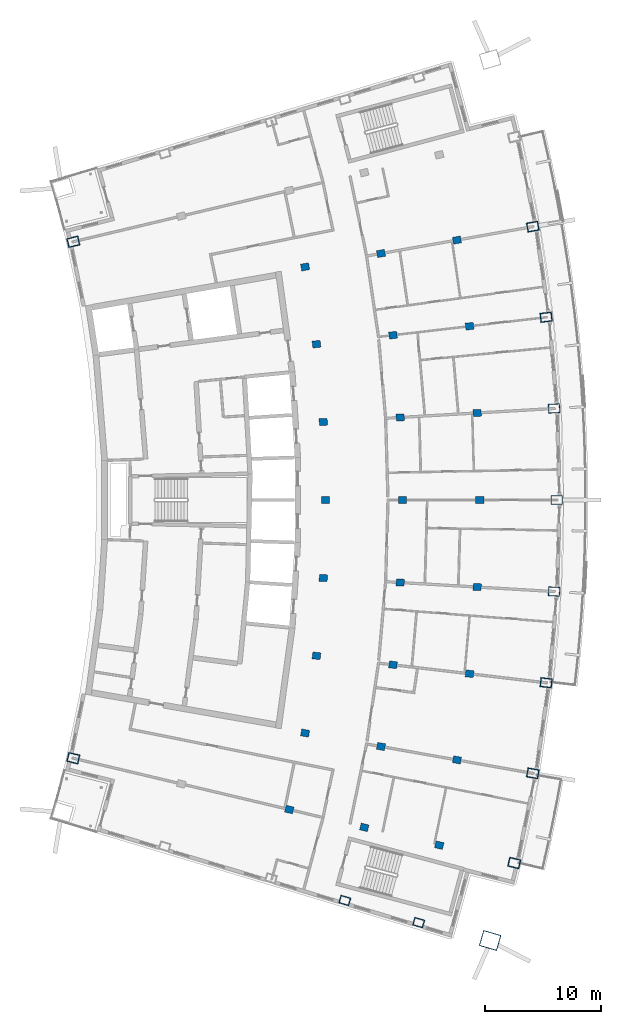
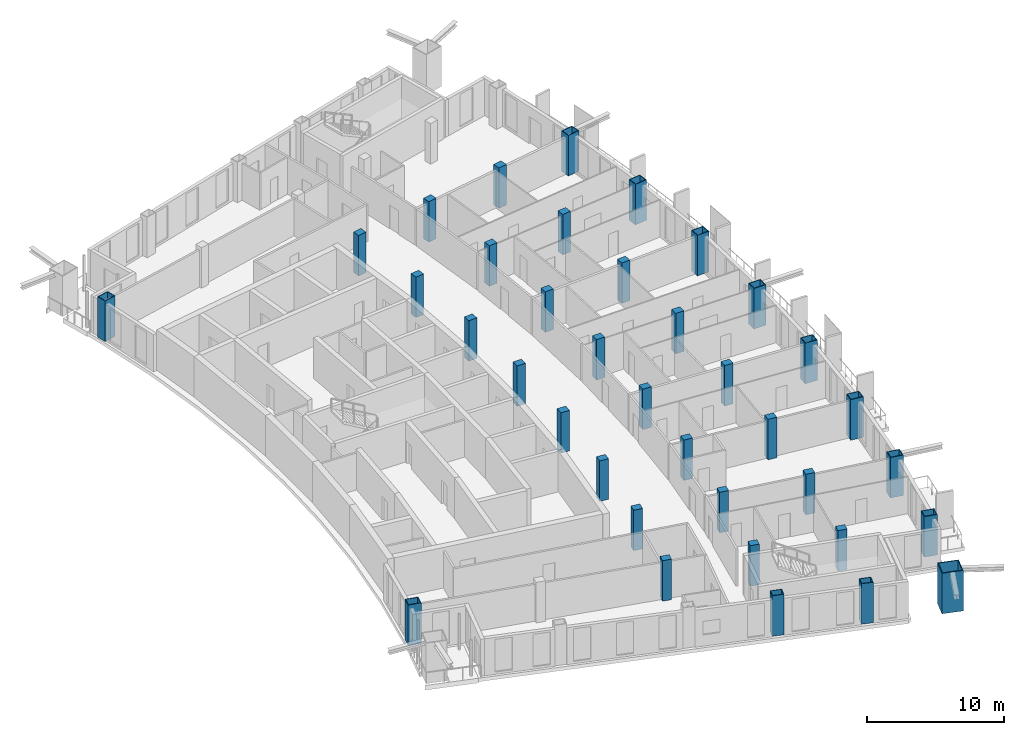
# One storey, part 2 of 15: 37 columns.
"""IFC4 building model written with IfcOpenShell, lengths in metres."""

from ifc_helpers import new_model, si_unit, direction, frame, origin, origin_2d, place, context, subcontext, project, spatial, rectangle, hollow_rectangle, extrude, material, material_profile, profile_set, type_object, element, save


model = new_model("IFC4")

# Units and contexts
model_context = context("Model", 3, precision=1e-05, world=origin(), true_north=direction((0.0, 1.0)))
body_context = subcontext(model_context, "Body", "Model", "MODEL_VIEW")
ifc_project = project(units=[si_unit("LENGTHUNIT", "METRE"), si_unit("AREAUNIT", "SQUARE_METRE"), si_unit("VOLUMEUNIT", "CUBIC_METRE"), si_unit("PLANEANGLEUNIT", "RADIAN"), si_unit("MASSUNIT", "GRAM", prefix="KILO")], contexts=[model_context])

# Site, building, storey
site_placement = place(None, origin())
site = spatial("IfcSite", under=ifc_project, at=site_placement, CompositionType="ELEMENT")
building_placement = place(site_placement, origin())
building = spatial("IfcBuilding", under=site, at=building_placement, Name="Alderwake Tower", CompositionType="ELEMENT")
storey_placement = place(building_placement, frame((0.0, 0.0, 285.199951171875)))
storey = spatial("IfcBuildingStorey", under=building, at=storey_placement, Name="L71", CompositionType="ELEMENT", Elevation=285.199951171875)

# Columns
ifc_material_1 = material(Name="Steel ASTM A572 Grade 50 concrete filled C70/85", Category="concrete")
ifc_material_profile_1 = material_profile(ifc_material_1, hollow_rectangle(XDim=0.699951171875, YDim=0.89990234375, WallThickness=0.050048828125, at=origin_2d()), Name="BOX 900X700X50")
ifc_profile_set_1 = profile_set([ifc_material_profile_1], Name="Steel ASTM A572 Grade 50 concrete filled C70/85")
column_type_1 = type_object("IfcColumnType", Name="End column Z5", PredefinedType="COLUMN", material=ifc_profile_set_1)
for number, where, z_axis, x_axis, name in (
    (1, (37.465576171875, 26.35986328125, 0.0), (0.0, 0.0, 1.0), (0.282853758087, 0.95916304742, 0.0), "Column R02-C3"),
    (2, (43.8505859375, 24.44287109375, 0.0), (0.0, 0.0, 1.0), (0.283096487049, 0.95909143413, 0.0), "Column R02-C4"),
):
    element("IfcColumn", number, at=place(storey_placement, frame(where, z_axis=z_axis, x_axis=x_axis)), inside=storey, type_object=column_type_1, Name=name, PredefinedType="COLUMN", context=body_context, shape_type="SweptSolid", body=[
        extrude(hollow_rectangle(XDim=0.699951171875, YDim=0.89990234375, WallThickness=0.050048828125, at=origin_2d()), origin(), (0.0, 0.0, 1.0), 3.60009765625),
    ])
ifc_material_2 = material(Name="Concrete C70/85", Category="concrete")
ifc_material_profile_2 = material_profile(ifc_material_2, rectangle(XDim=0.60009765625, YDim=0.699951171875, at=origin_2d()), Name="RC 700X600")
ifc_profile_set_2 = profile_set([ifc_material_profile_2], Name="Concrete C70/85")
column_type_2 = type_object("IfcColumnType", Name="Interior column Z5", PredefinedType="COLUMN", material=ifc_profile_set_2)
for number, where, z_axis, x_axis, name in (
    (3, (32.661865234375, 34.224609375, 0.0), (0.0, 0.0, 1.0), (0.231221547198, 0.972901123502, 0.0), "Column R03-C2"),
    (4, (39.14794921875, 32.68310546875, 0.0), (0.0, 0.0, 1.0), (0.231221547198, 0.972901123502, 0.0), "Column R03-C3"),
    (5, (45.6337890625, 31.1416015625, 0.0), (0.0, 0.0, 1.0), (0.231221547198, 0.972901123502, 0.0), "Column R03-C4"),
    (6, (34.03125, 40.83837890625, 0.0), (0.0, 0.0, 1.0), (0.174108800747, 0.984726421654, 0.0), "Column R04-C2"),
    (7, (40.59619140625, 39.677490234375, 0.0), (0.0, 0.0, 1.0), (0.174107082075, 0.984726725529, 0.0), "Column R04-C3"),
    (8, (47.160888671875, 38.516845703125, 0.0), (0.0, 0.0, 1.0), (0.174108800747, 0.984726421654, 0.0), "Column R04-C4"),
    (9, (35.0126953125, 47.5205078125, 0.0), (0.0, 0.0, 1.0), (0.116402054316, 0.993202175668, 0.0), "Column R05-C2"),
    (10, (41.63427734375, 46.74462890625, 0.0), (0.0, 0.0, 1.0), (0.116402054316, 0.993202175668, 0.0), "Column R05-C3"),
    (11, (48.255615234375, 45.968505859375, 0.0), (0.0, 0.0, 1.0), (0.116402054316, 0.993202175668, 0.0), "Column R05-C4"),
    (12, (35.60302734375, 54.248779296875, 0.0), (0.0, 0.0, 1.0), (0.058301061284, 0.998299046505, 0.0), "Column R06-C2"),
    (13, (42.25830078125, 53.860107421875, 0.0), (0.0, 0.0, 1.0), (0.058299318924, 0.998299148258, 0.0), "Column R06-C3"),
    (14, (48.913818359375, 53.471435546875, 0.0), (0.0, 0.0, 1.0), (0.058301061284, 0.998299046505, 0.0), "Column R06-C4"),
    (15, (35.800048828125, 61.0, 0.0), (0.0, 0.0, 1.0), (0.0, 1.0, 0.0), "Column R07-C2"),
    (16, (42.466796875, 61.0, 0.0), (0.0, 0.0, 1.0), (0.0, 1.0, 0.0), "Column R07-C3"),
    (17, (49.13330078125, 61.0, 0.0), (0.0, 0.0, 1.0), (0.0, 1.0, 0.0), "Column R07-C4"),
    (18, (35.60302734375, 67.751220703125, 0.0), (0.0, 0.0, 1.0), (-0.058301061284, 0.998299046505, 0.0), "Column R08-C2"),
    (19, (42.25830078125, 68.139892578125, 0.0), (0.0, 0.0, 1.0), (-0.058299318924, 0.998299148258, 0.0), "Column R08-C3"),
    (20, (48.913818359375, 68.528564453125, 0.0), (0.0, 0.0, 1.0), (-0.058301061284, 0.998299046505, 0.0), "Column R08-C4"),
    (21, (35.0126953125, 74.4794921875, 0.0), (0.0, 0.0, 1.0), (-0.116402054316, 0.993202175668, 0.0), "Column R09-C2"),
    (22, (41.63427734375, 75.25537109375, 0.0), (0.0, 0.0, 1.0), (-0.116402054316, 0.993202175668, 0.0), "Column R09-C3"),
    (23, (48.255615234375, 76.031494140625, 0.0), (0.0, 0.0, 1.0), (-0.116402054316, 0.993202175668, 0.0), "Column R09-C4"),
    (24, (34.03125, 81.16162109375, 0.0), (0.0, 0.0, 1.0), (-0.174108800747, 0.984726421654, 0.0), "Column R10-C2"),
    (25, (40.59619140625, 82.322509765625, 0.0), (0.0, 0.0, 1.0), (-0.174107082075, 0.984726725529, 0.0), "Column R10-C3"),
    (26, (47.160888671875, 83.483154296875, 0.0), (0.0, 0.0, 1.0), (-0.174108800747, 0.984726421654, 0.0), "Column R10-C4"),
):
    element("IfcColumn", number, at=place(storey_placement, frame(where, z_axis=z_axis, x_axis=x_axis)), inside=storey, type_object=column_type_2, Name=name, PredefinedType="COLUMN", context=body_context, shape_type="SweptSolid", body=[
        extrude(rectangle(XDim=0.60009765625, YDim=0.699951171875, at=origin_2d()), origin(), (0.0, 0.0, 1.0), 3.60009765625),
    ])
ifc_material_3 = material(Name="Steel ASTM A572 Grade 50 concrete filled C70/85", Category="concrete")
ifc_material_profile_3 = material_profile(ifc_material_3, hollow_rectangle(XDim=1.39990234375, YDim=1.60009765625, WallThickness=0.070068359375, at=origin_2d()), Name="BOX 1600X1400X70")
ifc_profile_set_3 = profile_set([ifc_material_profile_3], Name="Steel ASTM A572 Grade 50 concrete filled C70/85")
column_type_3 = type_object("IfcColumnType", Name="Mega column Z5", PredefinedType="COLUMN", material=ifc_profile_set_3)
column_placement = place(storey_placement, frame((50.03271484375, 22.898193359375, 0.0), z_axis=(0.0, 0.0, 1.0), x_axis=(0.281194346997, 0.959650842347, 0.0)))
element("IfcColumn", 27, at=column_placement, inside=storey, type_object=column_type_3, Name="Column R02-C5", PredefinedType="COLUMN", context=body_context, shape_type="SweptSolid", body=[
    extrude(hollow_rectangle(XDim=1.39990234375, YDim=1.60009765625, WallThickness=0.070068359375, at=origin_2d()), origin(), (0.0, 0.0, 1.0), 3.60009765625),
])
ifc_material_4 = material(Name="Steel ASTM A572 Grade 50 concrete filled C70/85", Category="concrete")
ifc_material_profile_4 = material_profile(ifc_material_4, hollow_rectangle(XDim=0.800048828125, YDim=1.0, WallThickness=0.054931640625, at=origin_2d()), Name="BOX 1000X800X55")
ifc_profile_set_4 = profile_set([ifc_material_profile_4], Name="Steel ASTM A572 Grade 50 concrete filled C70/85")
column_type_4 = type_object("IfcColumnType", Name="Perimeter column Z5", PredefinedType="COLUMN", material=ifc_profile_set_4)
for number, where, z_axis, x_axis, name in (
    (28, (13.982177734375, 38.6640625, 0.0), (0.0, 0.0, 1.0), (0.231221547198, 0.972901123502, 0.0), "Column R03-C0"),
    (29, (52.1201171875, 29.60009765625, 0.0), (0.0, 0.0, 1.0), (0.231221547198, 0.972901123502, 0.0), "Column R03-C5"),
    (30, (53.725830078125, 37.356201171875, 0.0), (0.0, 0.0, 1.0), (0.174108800747, 0.984726421654, 0.0), "Column R04-C5"),
    (31, (54.876953125, 45.192626953125, 0.0), (0.0, 0.0, 1.0), (0.116402054316, 0.993202175668, 0.0), "Column R05-C5"),
    (32, (55.569091796875, 53.082763671875, 0.0), (0.0, 0.0, 1.0), (0.058301061284, 0.998299046505, 0.0), "Column R06-C5"),
    (33, (55.800048828125, 61.0, 0.0), (0.0, 0.0, 1.0), (0.0, 1.0, 0.0), "Column R07-C5"),
    (34, (55.569091796875, 68.917236328125, 0.0), (0.0, 0.0, 1.0), (-0.058301061284, 0.998299046505, 0.0), "Column R08-C5"),
    (35, (54.876953125, 76.807373046875, 0.0), (0.0, 0.0, 1.0), (-0.116402054316, 0.993202175668, 0.0), "Column R09-C5"),
    (36, (53.725830078125, 84.643798828125, 0.0), (0.0, 0.0, 1.0), (-0.174108800747, 0.984726421654, 0.0), "Column R10-C5"),
    (37, (13.982177734375, 83.3359375, 0.0), (0.0, 0.0, 1.0), (-0.231221547198, 0.972901123502, 0.0), "Column R11-C0"),
):
    element("IfcColumn", number, at=place(storey_placement, frame(where, z_axis=z_axis, x_axis=x_axis)), inside=storey, type_object=column_type_4, Name=name, PredefinedType="COLUMN", context=body_context, shape_type="SweptSolid", body=[
        extrude(hollow_rectangle(XDim=0.800048828125, YDim=1.0, WallThickness=0.054931640625, at=origin_2d()), origin(), (0.0, 0.0, 1.0), 3.60009765625),
    ])

save(model, "model.ifc")
